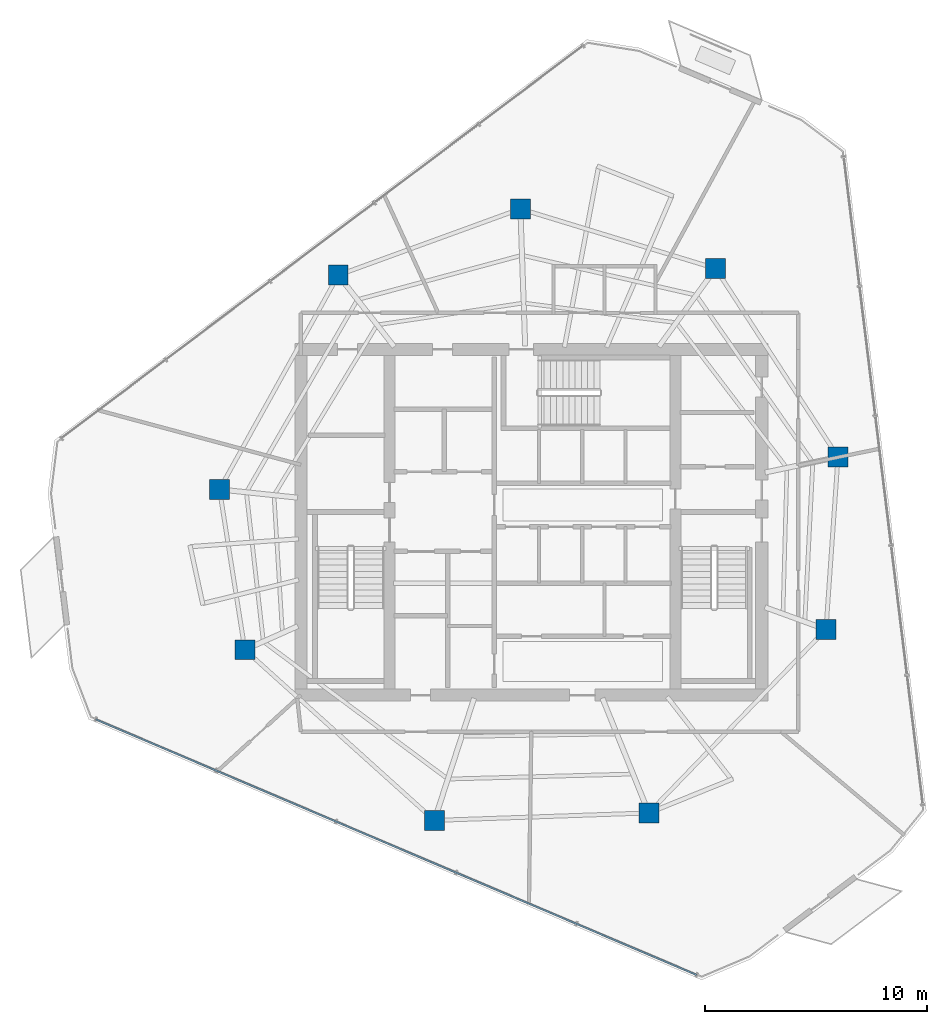
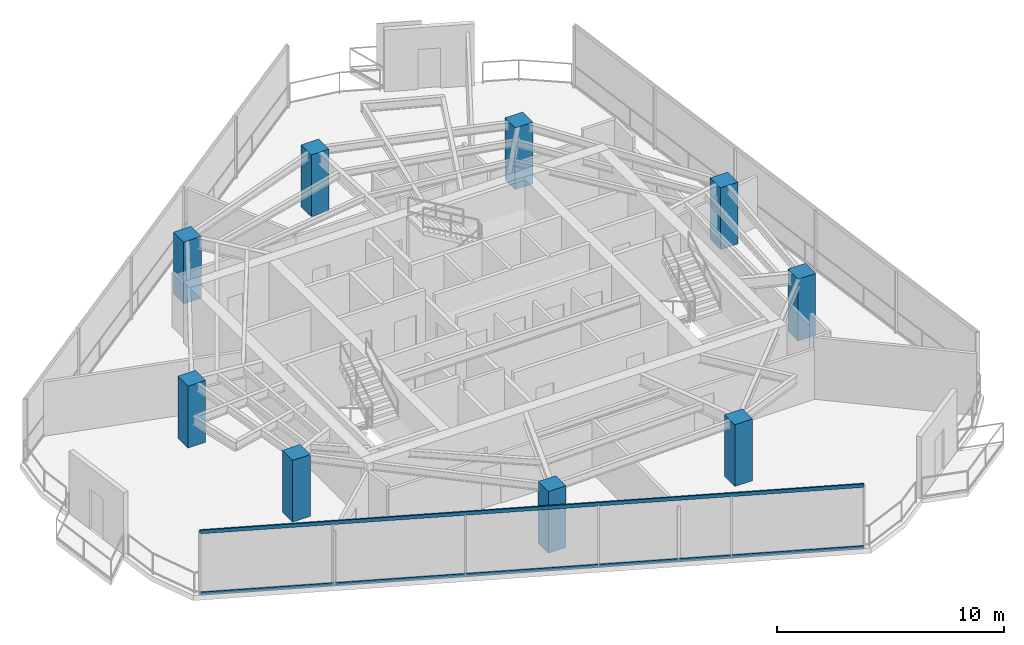
# One storey, part 1 of 18: 9 columns, 2 members, 1 element without a shape of its own.
"""IFC4 building model written with IfcOpenShell, lengths in metres."""

from ifc_helpers import new_model, si_unit, direction, frame, origin, origin_2d, place, context, subcontext, project, spatial, rectangle, hollow_rectangle, extrude, material, layer, layer_set, material_profile, profile_set, type_object, element, aggregate, save


model = new_model("IFC4")

# Units and contexts
model_context = context("Model", 3, precision=1e-05, world=origin(), true_north=direction((0.0, 1.0)))
body_context = subcontext(model_context, "Body", "Model", "MODEL_VIEW")
ifc_project = project(units=[si_unit("LENGTHUNIT", "METRE"), si_unit("AREAUNIT", "SQUARE_METRE"), si_unit("VOLUMEUNIT", "CUBIC_METRE"), si_unit("PLANEANGLEUNIT", "RADIAN"), si_unit("MASSUNIT", "GRAM", prefix="KILO")], contexts=[model_context])

# Site, building, storey
site_placement = place(None, origin())
site = spatial("IfcSite", under=ifc_project, at=site_placement, CompositionType="ELEMENT")
building_placement = place(site_placement, origin())
building = spatial("IfcBuilding", under=site, at=building_placement, Name="Qarnah Convention Tower", CompositionType="ELEMENT")
storey_placement = place(building_placement, frame((0.0, 0.0, 205.800048828125)))
storey = spatial("IfcBuildingStorey", under=building, at=storey_placement, Name="L55", CompositionType="ELEMENT", Elevation=205.800048828125)

# Columns
ifc_material_1 = material(Name="Concrete C50/60", Category="concrete")
ifc_material_profile_1 = material_profile(ifc_material_1, rectangle(XDim=0.89990234375, YDim=0.89990234375, at=origin_2d()), Name="RC-COL-900X900")
ifc_profile_set_1 = profile_set([ifc_material_profile_1], Name="Concrete C50/60")
column_type = type_object("IfcColumnType", Name="COL-Z4-900", PredefinedType="COLUMN", material=ifc_profile_set_1)
for number, where, z_axis, x_axis, name in (
    (1, (51.041015625, 29.342041015625, 0.0), (0.0, 0.0, 1.0), (1.0, 0.0, 0.0), "L55 plumb column PC-Z4-01"),
    (2, (45.51708984375, 37.847900390625, 0.0), (0.0, 0.0, 1.0), (1.0, 0.0, 0.0), "L55 plumb column PC-Z4-02"),
    (3, (36.7060546875, 40.541015625, 0.0), (0.0, 0.0, 1.0), (1.0, 0.0, 0.0), "L55 plumb column PC-Z4-03"),
    (4, (28.488037109375, 37.550048828125, 0.0), (0.0, 0.0, 1.0), (1.0, 0.0, 0.0), "L55 plumb column PC-Z4-04"),
    (5, (23.1279296875, 27.87890625, 0.0), (0.0, 0.0, 1.0), (1.0, 0.0, 0.0), "L55 plumb column PC-Z4-05"),
    (6, (24.27294921875, 20.64501953125, 0.0), (0.0, 0.0, 1.0), (1.0, 0.0, 0.0), "L55 plumb column PC-Z4-06"),
    (7, (32.826904296875, 12.943115234375, 0.0), (0.0, 0.0, 1.0), (1.0, 0.0, 0.0), "L55 plumb column PC-Z4-07"),
    (8, (42.5009765625, 13.280029296875, 0.0), (0.0, 0.0, 1.0), (1.0, 0.0, 0.0), "L55 plumb column PC-Z4-08"),
    (9, (50.4970703125, 21.56005859375, 0.0), (0.0, 0.0, 1.0), (1.0, 0.0, 0.0), "L55 plumb column PC-Z4-09"),
):
    element("IfcColumn", number, at=place(storey_placement, frame(where, z_axis=z_axis, x_axis=x_axis)), inside=storey, type_object=column_type, Name=name, PredefinedType="COLUMN", context=body_context, shape_type="SweptSolid", body=[
        extrude(rectangle(XDim=0.89990234375, YDim=0.89990234375, at=origin_2d()), origin(), (0.0, 0.0, 1.0), 3.320068359375),
    ])

# Curtain wall, members
ifc_material_2 = material(Name="Tempered Low-E dark glass", Category="glass")
ifc_layer = layer(ifc_material_2, 0.174072265625)
ifc_layer_set = layer_set([ifc_layer], Name="Tempered Low-E dark glass")
curtain_wall_type = type_object("IfcCurtainWallType", Name="CWS-04", PredefinedType="NOTDEFINED", material=ifc_layer_set)
curtain_wall_placement = place(storey_placement, origin())
curtain_wall = element("IfcCurtainWall", 10, at=curtain_wall_placement, inside=storey, type_object=curtain_wall_type, Name="L55 unitised curtain wall CW-L55-F1", PredefinedType="NOTDEFINED")
ifc_material_3 = material(Name="Black anodised aluminium", Category="aluminium")
ifc_material_profile_2 = material_profile(ifc_material_3, hollow_rectangle(XDim=0.074951171875, YDim=0.18994140625, WallThickness=0.0048828125, at=origin_2d()), Name="TRN-75X190")
ifc_profile_set_2 = profile_set([ifc_material_profile_2], Name="Black anodised aluminium")
member_type = type_object("IfcMemberType", Name="TRN-T4", PredefinedType="USERDEFINED", material=ifc_profile_set_2)
member_1_placement = place(storey_placement, frame((44.658935546875, 5.968994140625, 0.0), z_axis=(-0.920230006595, 0.39137799499, 0.0), x_axis=(-0.39137799499, -0.920230006595, 0.0)))
member_1 = element("IfcMember", 11, at=member_1_placement, type_object=member_type, Name="CW-L55-F1 transom 1", ObjectType="TRANSOM", PredefinedType="USERDEFINED", context=body_context, shape_type="SweptSolid", body=[
    extrude(hollow_rectangle(XDim=0.074951171875, YDim=0.18994140625, WallThickness=0.0048828125, at=origin_2d()), origin(), (0.0, 0.0, 1.0), 29.467529296875),
])
member_2_placement = place(storey_placement, frame((44.658935546875, 5.968994140625, 3.320068359375), z_axis=(-0.920230006595, 0.39137799499, 0.0), x_axis=(-0.39137799499, -0.920230006595, 0.0)))
member_2 = element("IfcMember", 12, at=member_2_placement, type_object=member_type, Name="CW-L55-F1 transom 2", ObjectType="TRANSOM", PredefinedType="USERDEFINED", context=body_context, shape_type="SweptSolid", body=[
    extrude(hollow_rectangle(XDim=0.074951171875, YDim=0.18994140625, WallThickness=0.0048828125, at=origin_2d()), origin(), (0.0, 0.0, 1.0), 29.467529296875),
])
aggregate(curtain_wall, [member_1, member_2])

save(model, "model.ifc")
